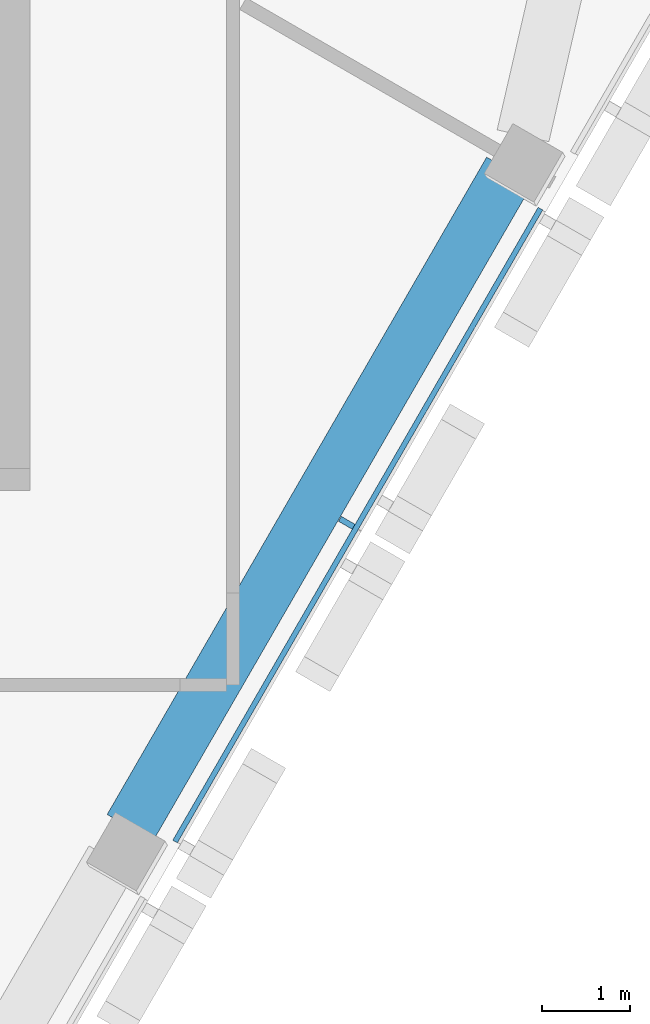
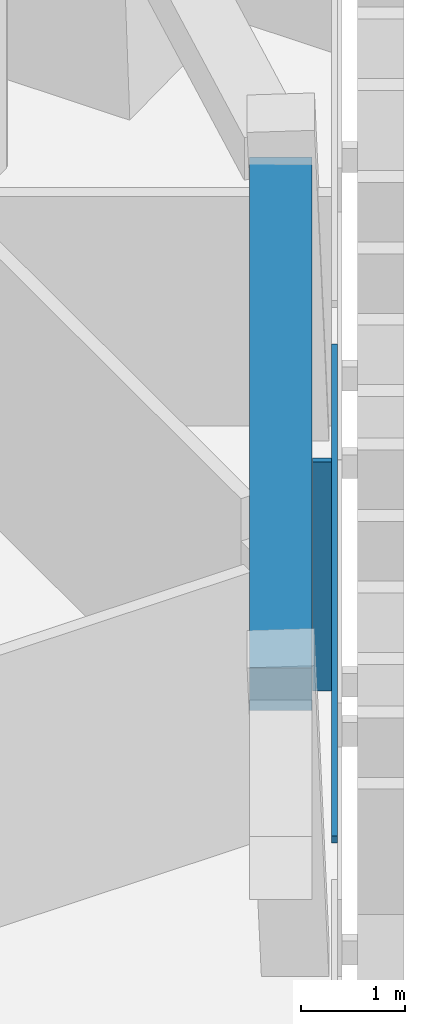
# One storey, part 4 of 12: 2 members, 1 beam, 1 element without a shape of its own.
"""IFC4 building model written with IfcOpenShell, lengths in metres."""

from ifc_helpers import new_model, si_unit, direction, frame, origin, origin_2d, place, context, subcontext, project, spatial, rectangle, extrude, material, layer, layer_set, material_profile, profile_set, type_object, element, aggregate, save


model = new_model("IFC4")

# Units and contexts
model_context = context("Model", 3, precision=1e-05, world=origin(), true_north=direction((0.0, 1.0)))
body_context = subcontext(model_context, "Body", "Model", "MODEL_VIEW")
ifc_project = project(units=[si_unit("LENGTHUNIT", "METRE"), si_unit("AREAUNIT", "SQUARE_METRE"), si_unit("VOLUMEUNIT", "CUBIC_METRE"), si_unit("PLANEANGLEUNIT", "RADIAN"), si_unit("MASSUNIT", "GRAM", prefix="KILO")], contexts=[model_context])

# Site, building, storey
site_placement = place(None, origin())
site = spatial("IfcSite", under=ifc_project, at=site_placement, CompositionType="ELEMENT")
building_placement = place(site_placement, origin())
building = spatial("IfcBuilding", under=site, at=building_placement, Name="Altiplano Prism Tower", CompositionType="ELEMENT")
storey_placement = place(building_placement, frame((0.0, 0.0, 316.60009765625)))
storey = spatial("IfcBuildingStorey", under=building, at=storey_placement, Name="L82", CompositionType="ELEMENT", Elevation=316.60009765625)

# Curtain wall, members
ifc_material_1 = material(Name="Aluminium and glass", Category="aluminium")
ifc_layer = layer(ifc_material_1, 0.280029296875)
ifc_layer_set = layer_set([ifc_layer], Name="Aluminium and glass")
curtain_wall_type = type_object("IfcCurtainWallType", Name="CW1 typical co-living unitised curtain wall", PredefinedType="NOTDEFINED", material=ifc_layer_set)
curtain_wall_placement = place(storey_placement, origin())
curtain_wall = element("IfcCurtainWall", 1, at=curtain_wall_placement, inside=storey, type_object=curtain_wall_type, Name="CW1 curtain wall south-east face L82", PredefinedType="NOTDEFINED")
ifc_material_2 = material(Name="Aluminium", Category="aluminium")
ifc_material_profile_1 = material_profile(ifc_material_2, rectangle(XDim=0.179931640625, YDim=0.06494140625, at=origin_2d()), Name="CW1 mullion 65 x 180")
ifc_profile_set_1 = profile_set([ifc_material_profile_1], Name="Aluminium")
member_type_1 = type_object("IfcMemberType", Name="CW1 mullion 65 x 180", PredefinedType="MULLION", material=ifc_profile_set_1)
member_1_placement = place(storey_placement, frame((101.087158203125, 92.534423828125, 0.0), z_axis=(0.0, 0.0, 1.0), x_axis=(-0.866025400224, 0.500000006167, 0.0)))
member_1 = element("IfcMember", 2, at=member_1_placement, type_object=member_type_1, Name="CW1 mullion", PredefinedType="MULLION", context=body_context, shape_type="SweptSolid", body=[
    extrude(rectangle(XDim=0.179931640625, YDim=0.06494140625, at=origin_2d()), origin(), (0.0, 0.0, 1.0), 2.699951171875),
])
ifc_material_profile_2 = material_profile(ifc_material_2, rectangle(XDim=0.06005859375, YDim=0.080078125, at=origin_2d()), Name="CW1 transom 80 x 60")
ifc_profile_set_2 = profile_set([ifc_material_profile_2], Name="Aluminium")
member_type_2 = type_object("IfcMemberType", Name="CW1 transom 80 x 60", PredefinedType="USERDEFINED", material=ifc_profile_set_2)
member_2_placement = place(storey_placement, frame((99.1435546875, 88.927734375, 1.099853515625), z_axis=(0.499987375974, 0.866032692147, 0.0), x_axis=(-0.866032692147, 0.499987375974, 0.0)))
member_2 = element("IfcMember", 3, at=member_2_placement, type_object=member_type_2, Name="CW1 transom", ObjectType="TRANSOM", PredefinedType="USERDEFINED", context=body_context, shape_type="SweptSolid", body=[
    extrude(rectangle(XDim=0.06005859375, YDim=0.080078125, at=origin_2d()), origin(), (0.0, 0.0, 1.0), 8.269775390625),
])
aggregate(curtain_wall, [member_1, member_2])

# Beam
ifc_material_3 = material(Name="Concrete C60/75", Category="concrete")
ifc_material_profile_3 = material_profile(ifc_material_3, rectangle(XDim=0.60009765625, YDim=0.5, at=origin_2d()), Name="Edge beam 600x500")
ifc_profile_set_3 = profile_set([ifc_material_profile_3], Name="Concrete C60/75")
beam_type = type_object("IfcBeamType", Name="Edge beam 600x500", PredefinedType="SPANDREL", material=ifc_profile_set_3)
beam_placement = place(storey_placement, frame((98.634521484375, 89.08349609375, 2.949951171875), z_axis=(0.500011935685, 0.866018512604, 0.0), x_axis=(-0.866018512604, 0.500011935685, 0.0)))
element("IfcBeam", 4, at=beam_placement, inside=storey, type_object=beam_type, Name="Edge beam P23-P24 L83", PredefinedType="SPANDREL", context=body_context, shape_type="SweptSolid", body=[
    extrude(rectangle(XDim=0.60009765625, YDim=0.5, at=origin_2d()), origin(), (0.0, 0.0, 1.0), 8.590087890625),
])

save(model, "model.ifc")
